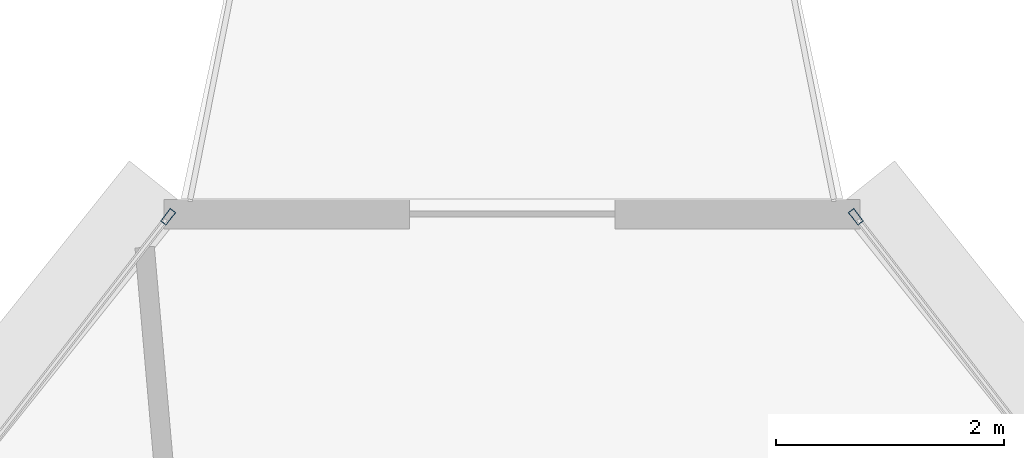
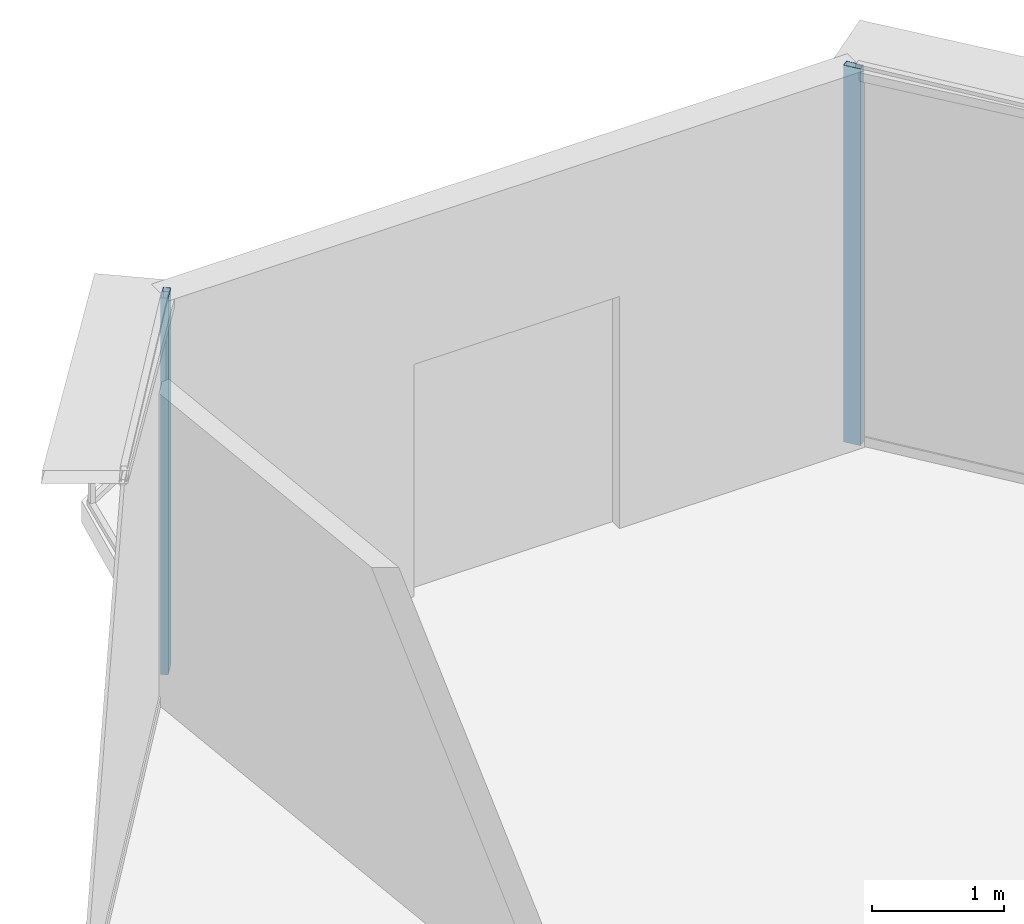
# One storey, part 19 of 30: 2 members, 2 elements without a shape of their own.
"""IFC4 building model written with IfcOpenShell, lengths in metres."""

from ifc_helpers import new_model, si_unit, direction, frame, origin, origin_2d, place, context, subcontext, project, spatial, hollow_rectangle, extrude, source, transform, mapped, material, layer, layer_set, material_profile, profile_set, type_object, element, aggregate, save


model = new_model("IFC4")

# Units and contexts
model_context = context("Model", 3, precision=1e-05, world=origin(), true_north=direction((0.0, 1.0)))
body_context = subcontext(model_context, "Body", "Model", "MODEL_VIEW")
ifc_project = project(units=[si_unit("LENGTHUNIT", "METRE"), si_unit("AREAUNIT", "SQUARE_METRE"), si_unit("VOLUMEUNIT", "CUBIC_METRE"), si_unit("PLANEANGLEUNIT", "RADIAN"), si_unit("MASSUNIT", "GRAM", prefix="KILO"), si_unit("THERMODYNAMICTEMPERATUREUNIT", "KELVIN"), si_unit("POWERUNIT", "WATT")], contexts=[model_context])

# Site, building, storey
site_placement = place(None, origin())
site = spatial("IfcSite", under=ifc_project, at=site_placement, CompositionType="ELEMENT")
building_placement = place(site_placement, origin())
building = spatial("IfcBuilding", under=site, at=building_placement, Name="Yunzhuo Pagoda Commons", CompositionType="ELEMENT")
storey_placement = place(building_placement, frame((0.0, 0.0, 355.510009765625)))
storey = spatial("IfcBuildingStorey", under=building, at=storey_placement, Name="L89", CompositionType="ELEMENT", Elevation=355.510009765625)

# Curtain wall, member
ifc_material = material(Name="Anodized aluminium 6063-T6", Category="aluminium")
ifc_layer = layer(ifc_material, 0.139892578125)
ifc_layer_set = layer_set([ifc_layer], Name="Anodized aluminium 6063-T6")
curtain_wall_type = type_object("IfcCurtainWallType", Name="CW-HI High-Zone Ribbon Curtain Wall", PredefinedType="NOTDEFINED", material=ifc_layer_set)
curtain_wall_1_placement = place(storey_placement, origin())
curtain_wall_1 = element("IfcCurtainWall", 1, at=curtain_wall_1_placement, inside=storey, type_object=curtain_wall_type, Name="L89 curtain wall CW-L89-F2B5", PredefinedType="NOTDEFINED")
ifc_material_profile = material_profile(ifc_material, hollow_rectangle(XDim=0.06005859375, YDim=0.139892578125, WallThickness=0.00341796875, at=origin_2d()), Name="Anodized aluminium 6063-T6")
ifc_profile_set = profile_set([ifc_material_profile], Name="Anodized aluminium 6063-T6")
member_type = type_object("IfcMemberType", Name="CW-HI-M Mullion RHS 140x60x3.5", PredefinedType="MULLION", material=ifc_profile_set)
shared_shape = source(origin(), body_context, "Body", "SweptSolid", [
    extrude(hollow_rectangle(XDim=0.06005859375, YDim=0.139892578125, WallThickness=0.00341796875, at=origin_2d()), origin(), (0.0, 0.0, 1.0), 3.489990234375),
])
member_1_placement = place(storey_placement, frame((51.012451171875, 70.75537109375, 0.0), z_axis=(0.0, 0.0, 1.0), x_axis=(-0.790927145065, -0.611910329378, 0.0)))
member_1 = element("IfcMember", 2, at=member_1_placement, type_object=member_type, Name="CW mullion 2", PredefinedType="MULLION", context=body_context, shape_type="MappedRepresentation", body=[
    mapped(shared_shape, transform((0.0, 0.0, 0.0), scale=1.0)),
])
aggregate(curtain_wall_1, [member_1])

curtain_wall_2_placement = place(storey_placement, origin())
curtain_wall_2 = element("IfcCurtainWall", 3, at=curtain_wall_2_placement, inside=storey, type_object=curtain_wall_type, Name="L89 curtain wall CW-L89-F3B1", PredefinedType="NOTDEFINED")
member_2_placement = place(storey_placement, frame((44.987548828125, 70.75537109375, 0.0), z_axis=(0.0, 0.0, 1.0), x_axis=(0.790927145065, -0.611910329378, 0.0)))
member_2 = element("IfcMember", 4, at=member_2_placement, type_object=member_type, Name="CW mullion 1", PredefinedType="MULLION", context=body_context, shape_type="MappedRepresentation", body=[
    mapped(shared_shape, transform((0.0, 0.0, 0.0), scale=1.0)),
])
aggregate(curtain_wall_2, [member_2])

save(model, "model.ifc")
